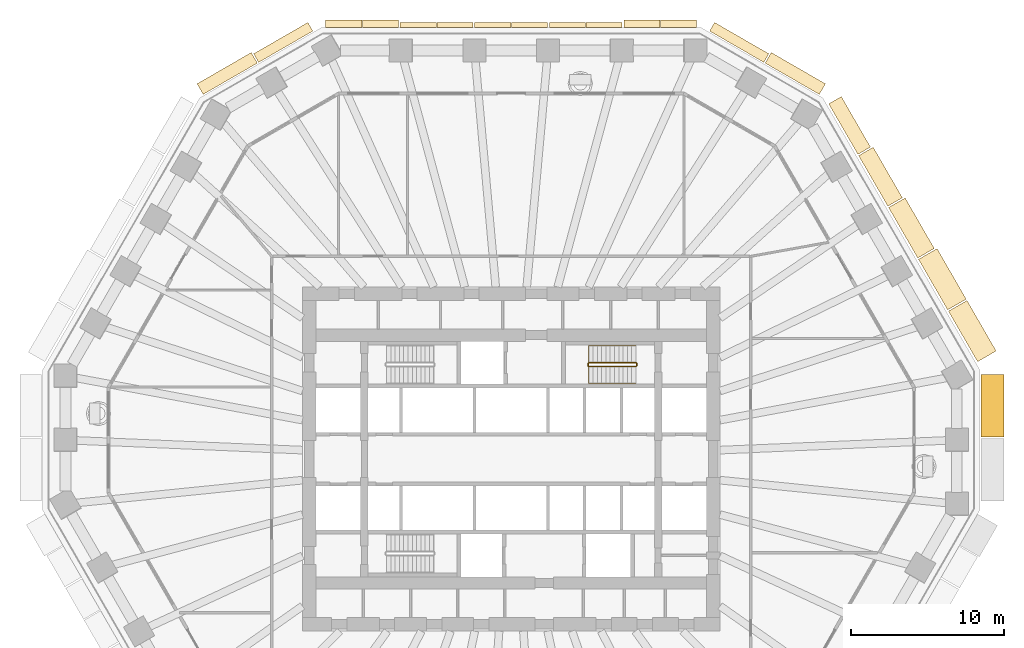
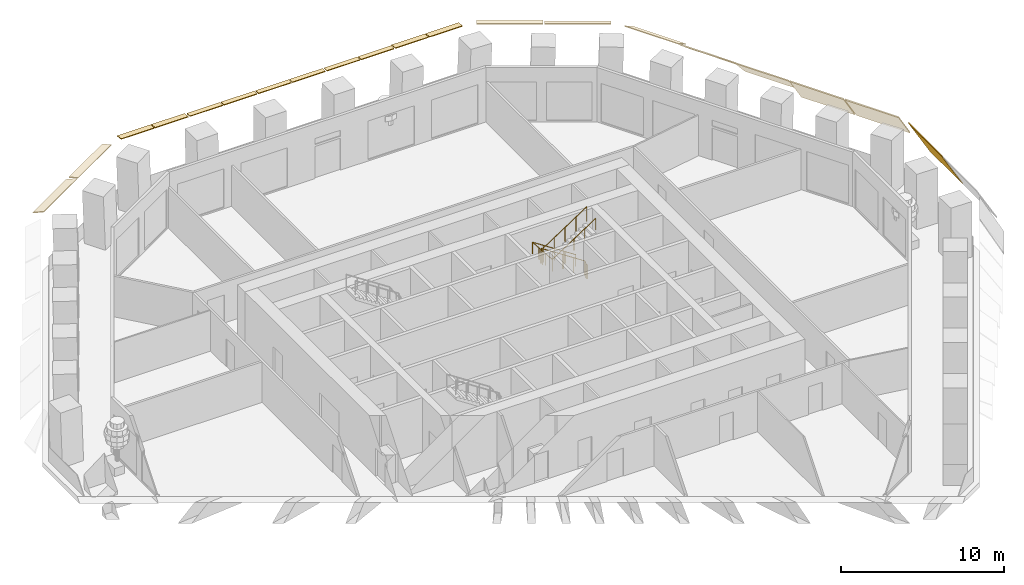
# One storey, part 10 of 12: 20 coverings, 2 railings.
"""IFC4 building model written with IfcOpenShell, lengths in metres."""

from ifc_helpers import new_model, si_unit, direction, frame, origin, origin_2d, place, context, subcontext, project, spatial, polyline, circle, outline, extrude, material, layer, layer_set, type_object, element, save


model = new_model("IFC4")

# Units and contexts
model_context = context("Model", 3, precision=1e-05, world=origin(), true_north=direction((0.0, 1.0)))
body_context = subcontext(model_context, "Body", "Model", "MODEL_VIEW")
ifc_project = project(units=[si_unit("LENGTHUNIT", "METRE"), si_unit("AREAUNIT", "SQUARE_METRE"), si_unit("VOLUMEUNIT", "CUBIC_METRE"), si_unit("PLANEANGLEUNIT", "RADIAN"), si_unit("MASSUNIT", "GRAM", prefix="KILO")], contexts=[model_context])

# Site, building, storey
site_placement = place(None, origin())
site = spatial("IfcSite", under=ifc_project, at=site_placement, CompositionType="ELEMENT")
building_placement = place(site_placement, origin())
building = spatial("IfcBuilding", under=site, at=building_placement, Name="Frailejon Research Tower", CompositionType="ELEMENT")
storey_placement = place(building_placement, frame((0.0, 0.0, 54.199951171875)))
storey = spatial("IfcBuildingStorey", under=building, at=storey_placement, Name="L12", CompositionType="ELEMENT", Elevation=54.199951171875)

# Coverings
ifc_material_1 = material(Name="Precast concrete C50/60", Category="concrete")
ifc_layer_1 = layer(ifc_material_1, 0.06005859375)
ifc_layer_set_1 = layer_set([ifc_layer_1], Name="Brim blade depth 1100")
covering_type_1 = type_object("IfcCoveringType", Name="Brim blade depth 1100", PredefinedType="CLADDING", material=ifc_layer_set_1)
covering_1_placement = place(storey_placement, frame((22.7099609375, 19.830810546875, 4.25), z_axis=(0.500001217064, -0.866024701111, 0.0), x_axis=(0.866024701111, 0.500001217064, 0.0)))
element("IfcCovering", 1, at=covering_1_placement, inside=storey, type_object=covering_type_1, Name="Brim blade L12", PredefinedType="CLADDING", context=body_context, shape_type="SweptSolid", body=[
    extrude(outline(polyline([(0.0, -0.078369140625), (1.10009765625, -1.001220703125), (1.10009765625, -0.923095703125), (0.0, 0.0), (0.0, -0.078369140625)])), origin(), (0.0, 0.0, 1.0), 3.8125),
])
ifc_material_2 = material(Name="Precast concrete C50/60", Category="concrete")
ifc_layer_2 = layer(ifc_material_2, 0.06005859375)
ifc_layer_set_2 = layer_set([ifc_layer_2], Name="Brim blade depth 1250")
covering_type_2 = type_object("IfcCoveringType", Name="Brim blade depth 1250", PredefinedType="CLADDING", material=ifc_layer_set_2)
covering_2_placement = place(storey_placement, frame((24.666259765625, 16.4423828125, 4.25), z_axis=(0.500001217064, -0.866024701111, 0.0), x_axis=(0.866024701111, 0.500001217064, 0.0)))
element("IfcCovering", 2, at=covering_2_placement, inside=storey, type_object=covering_type_2, Name="Brim blade L12", PredefinedType="CLADDING", context=body_context, shape_type="SweptSolid", body=[
    extrude(outline(polyline([(0.0, -0.0888671875), (1.25, -1.452880859375), (1.25, -1.364013671875), (0.0, 0.0), (0.0, -0.0888671875)])), origin(), (0.0, 0.0, 1.0), 3.8125),
])
ifc_material_3 = material(Name="Precast concrete C50/60", Category="concrete")
ifc_layer_3 = layer(ifc_material_3, 0.06005859375)
ifc_layer_set_3 = layer_set([ifc_layer_3], Name="Brim blade depth 1400")
covering_type_3 = type_object("IfcCoveringType", Name="Brim blade depth 1400", PredefinedType="CLADDING", material=ifc_layer_set_3)
covering_3_placement = place(storey_placement, frame((28.578857421875, 9.665283203125, 4.25), z_axis=(0.500001217064, -0.866024701111, 0.0), x_axis=(0.866024701111, 0.500001217064, 0.0)))
element("IfcCovering", 3, at=covering_3_placement, inside=storey, type_object=covering_type_3, Name="Brim blade L12", PredefinedType="CLADDING", context=body_context, shape_type="SweptSolid", body=[
    extrude(outline(polyline([(0.0, -0.1044921875), (1.39990234375, -2.10400390625), (1.39990234375, -1.99951171875), (0.0, 0.0), (0.0, -0.1044921875)])), origin(), (0.0, 0.0, 1.0), 3.8125),
])
covering_4_placement = place(storey_placement, frame((26.62255859375, 13.053955078125, 4.25), z_axis=(0.499990149831, -0.866031090707, 0.0), x_axis=(0.866031090707, 0.499990149831, 0.0)))
element("IfcCovering", 4, at=covering_4_placement, inside=storey, type_object=covering_type_3, Name="Brim blade L12", PredefinedType="CLADDING", context=body_context, shape_type="SweptSolid", body=[
    extrude(outline(polyline([(0.0, -0.1044921875), (1.39990234375, -2.10400390625), (1.39990234375, -1.99951171875), (0.0, 0.0), (0.0, -0.1044921875)])), origin(), (0.0, 0.0, 1.0), 3.812744140625),
])
ifc_material_4 = material(Name="Precast concrete C50/60", Category="concrete")
ifc_layer_4 = layer(ifc_material_4, 0.06005859375)
ifc_layer_set_4 = layer_set([ifc_layer_4], Name="Brim blade depth 1500")
covering_type_4 = type_object("IfcCoveringType", Name="Brim blade depth 1500", PredefinedType="CLADDING", material=ifc_layer_set_4)
covering_5_placement = place(storey_placement, frame((30.711181640625, 5.520263671875, 4.25), z_axis=(0.0, -1.0, 0.0), x_axis=(1.0, 0.0, 0.0)))
element("IfcCovering", 5, at=covering_5_placement, inside=storey, type_object=covering_type_4, Name="Brim blade L12", PredefinedType="CLADDING", context=body_context, shape_type="SweptSolid", body=[
    extrude(outline(polyline([(0.0, -0.1201171875), (1.5, -2.718017578125), (1.5, -2.59814453125), (0.0, 0.0), (0.0, -0.1201171875)])), origin(), (0.0, 0.0, 1.0), 4.08740234375),
])
ifc_material_5 = material(Name="Precast concrete C50/60", Category="concrete")
ifc_layer_5 = layer(ifc_material_5, 0.06005859375)
ifc_layer_set_5 = layer_set([ifc_layer_5], Name="Brim blade depth 350")
covering_type_5 = type_object("IfcCoveringType", Name="Brim blade depth 350", PredefinedType="CLADDING", material=ifc_layer_set_5)
for number, where, z_axis, x_axis, name in (
    (6, (4.900634765625, 28.199951171875, 4.25), (1.0, 0.0, 0.0), (0.0, 1.0, 0.0), "Brim blade L12"),
    (7, (2.4853515625, 28.199951171875, 4.25), (1.0, 0.0, 0.0), (0.0, 1.0, 0.0), "Brim blade L12"),
    (8, (0.030029296875, 28.199951171875, 4.25), (1.0, 0.0, 0.0), (0.0, 1.0, 0.0), "Brim blade L12"),
    (9, (-2.38525390625, 28.199951171875, 4.25), (1.0, 0.0, 0.0), (0.0, 1.0, 0.0), "Brim blade L12"),
    (10, (-4.840576171875, 28.199951171875, 4.25), (1.0, 0.0, 0.0), (0.0, 1.0, 0.0), "Brim blade L12"),
    (11, (-7.255859375, 28.199951171875, 4.25), (1.0, 0.0, 0.0), (0.0, 1.0, 0.0), "Brim blade L12"),
):
    element("IfcCovering", number, at=place(storey_placement, frame(where, z_axis=z_axis, x_axis=x_axis)), inside=storey, type_object=covering_type_5, Name=name, PredefinedType="CLADDING", context=body_context, shape_type="SweptSolid", body=[
        extrude(outline(polyline([(0.0, -0.06005859375), (0.35009765625, -0.06005859375), (0.35009765625, 0.0), (0.0, 0.0), (0.0, -0.06005859375)])), origin(), (0.0, 0.0, 1.0), 2.355224609375),
    ])
ifc_material_6 = material(Name="Precast concrete C50/60", Category="concrete")
ifc_layer_6 = layer(ifc_material_6, 0.06005859375)
ifc_layer_set_6 = layer_set([ifc_layer_6], Name="Brim blade depth 500")
covering_type_6 = type_object("IfcCoveringType", Name="Brim blade depth 500", PredefinedType="CLADDING", material=ifc_layer_set_6)
for number, where, z_axis, x_axis, name in (
    (12, (9.771240234375, 28.199951171875, 4.25), (1.0, 0.0, 0.0), (0.0, 1.0, 0.0), "Brim blade L12"),
    (13, (7.35595703125, 28.199951171875, 4.25), (1.0, 0.0, 0.0), (0.0, 1.0, 0.0), "Brim blade L12"),
    (14, (-9.711181640625, 28.199951171875, 4.25), (1.0, 0.0, 0.0), (0.0, 1.0, 0.0), "Brim blade L12"),
    (15, (-12.12646484375, 28.199951171875, 4.25), (1.0, 0.0, 0.0), (0.0, 1.0, 0.0), "Brim blade L12"),
):
    element("IfcCovering", number, at=place(storey_placement, frame(where, z_axis=z_axis, x_axis=x_axis)), inside=storey, type_object=covering_type_6, Name=name, PredefinedType="CLADDING", context=body_context, shape_type="SweptSolid", body=[
        extrude(outline(polyline([(0.0, -0.060546875), (0.5, -0.130859375), (0.5, -0.0703125), (0.0, 0.0), (0.0, -0.060546875)])), origin(), (0.0, 0.0, 1.0), 2.355224609375),
    ])
ifc_material_7 = material(Name="Precast concrete C50/60", Category="concrete")
ifc_layer_7 = layer(ifc_material_7, 0.06005859375)
ifc_layer_set_7 = layer_set([ifc_layer_7], Name="Brim blade depth 650")
covering_type_7 = type_object("IfcCoveringType", Name="Brim blade depth 650", PredefinedType="CLADDING", material=ifc_layer_set_7)
for number, where, z_axis, x_axis, name in (
    (16, (12.9697265625, 27.97412109375, 4.25), (0.866027315287, -0.499996689166, 0.0), (0.499996689166, 0.866027315287, 0.0), "Brim blade L12"),
    (17, (-16.509765625, 25.93017578125, 4.25), (0.866027315287, 0.499996689166, 0.0), (-0.499996689166, 0.866027315287, 0.0), "Brim blade L12"),
):
    element("IfcCovering", number, at=place(storey_placement, frame(where, z_axis=z_axis, x_axis=x_axis)), inside=storey, type_object=covering_type_7, Name=name, PredefinedType="CLADDING", context=body_context, shape_type="SweptSolid", body=[
        extrude(outline(polyline([(0.0, -0.0625), (0.64990234375, -0.248779296875), (0.64990234375, -0.186279296875), (0.0, 0.0), (0.0, -0.0625)])), origin(), (0.0, 0.0, 1.0), 4.087646484375),
    ])
ifc_material_8 = material(Name="Precast concrete C50/60", Category="concrete")
ifc_layer_8 = layer(ifc_material_8, 0.06005859375)
ifc_layer_set_8 = layer_set([ifc_layer_8], Name="Brim blade depth 800")
covering_type_8 = type_object("IfcCoveringType", Name="Brim blade depth 800", PredefinedType="CLADDING", material=ifc_layer_set_8)
for number, where, z_axis, x_axis, name in (
    (18, (16.596435546875, 25.880126953125, 4.25), (0.866021344981, -0.500007029989, 0.0), (0.500007029989, 0.866021344981, 0.0), "Brim blade L12"),
    (19, (-20.13623046875, 23.83642578125, 4.25), (0.866021344981, 0.500007029989, 0.0), (-0.500007029989, 0.866021344981, 0.0), "Brim blade L12"),
):
    element("IfcCovering", number, at=place(storey_placement, frame(where, z_axis=z_axis, x_axis=x_axis)), inside=storey, type_object=covering_type_8, Name=name, PredefinedType="CLADDING", context=body_context, shape_type="SweptSolid", body=[
        extrude(outline(polyline([(0.0, -0.065673828125), (0.800048828125, -0.421875), (0.800048828125, -0.356201171875), (0.0, 0.0), (0.0, -0.065673828125)])), origin(), (0.0, 0.0, 1.0), 4.08740234375),
    ])
ifc_material_9 = material(Name="Precast concrete C50/60", Category="concrete")
ifc_layer_9 = layer(ifc_material_9, 0.06005859375)
ifc_layer_set_9 = layer_set([ifc_layer_9], Name="Brim blade depth 950")
covering_type_9 = type_object("IfcCoveringType", Name="Brim blade depth 950", PredefinedType="CLADDING", material=ifc_layer_set_9)
covering_6_placement = place(storey_placement, frame((20.753662109375, 23.218994140625, 4.25), z_axis=(0.500001217064, -0.866024701111, 0.0), x_axis=(0.866024701111, 0.500001217064, 0.0)))
element("IfcCovering", 20, at=covering_6_placement, inside=storey, type_object=covering_type_9, Name="Brim blade L12", PredefinedType="CLADDING", context=body_context, shape_type="SweptSolid", body=[
    extrude(outline(polyline([(0.0, -0.07080078125), (0.949951171875, -0.664306640625), (0.949951171875, -0.593505859375), (0.0, 0.0), (0.0, -0.07080078125)])), origin(), (0.0, 0.0, 1.0), 3.8125),
])

# Railings
ifc_material_10 = material(Name="Stainless steel", Category="steel")
railing_type_1 = type_object("IfcRailingType", Name="Stair guard 1100", PredefinedType="GUARDRAIL", material=ifc_material_10)
railing_1_placement = place(storey_placement, frame((8.199951171875, 6.10009765625, 0.0)))
element("IfcRailing", 21, at=railing_1_placement, inside=storey, type_object=railing_type_1, Name="L12 ST3 stair guard 1", PredefinedType="GUARDRAIL", context=body_context, shape_type="SweptSolid", body=[
    extrude(circle(Radius=0.02392578125, at=origin_2d()), frame((0.0, 0.0, 1.076171875), z_axis=(0.0, 1.0, 0.0), x_axis=(-1.0, 0.0, 0.0)), (0.0, 0.0, 1.0), 0.14990234375),
    extrude(circle(Radius=0.02392578125, at=origin_2d()), frame((0.0, 0.14990234375, 1.076171875), z_axis=(-0.254653276557, 0.254653276557, 0.932900539971), x_axis=(-0.707106781187, -0.707106781187, 0.0)), (0.0, 0.0, 1.0), 0.196533203125),
    extrude(circle(Radius=0.02392578125, at=origin_2d()), frame((-0.050048828125, 0.199951171875, 1.25927734375), z_axis=(-0.836613101238, 0.0, 0.547794230379), x_axis=(0.0, -1.0, 0.0)), (0.0, 0.0, 1.0), 3.681396484375),
    extrude(circle(Radius=0.02392578125, at=origin_2d()), frame((-3.1298828125, 0.199951171875, 3.27587890625), z_axis=(-0.707106781187, -0.707106781187, 0.0), x_axis=(0.707106781187, -0.707106781187, 0.0)), (0.0, 0.0, 1.0), 0.07080078125),
    extrude(circle(Radius=0.02392578125, at=origin_2d()), frame((-3.179931640625, 0.14990234375, 3.27587890625), z_axis=(0.0, -1.0, 0.0), x_axis=(1.0, 0.0, 0.0)), (0.0, 0.0, 1.0), 0.14990234375),
    extrude(circle(Radius=0.02392578125, at=origin_2d()), frame((-3.179931640625, 0.0, 3.27587890625), z_axis=(0.254653276557, -0.254653276557, 0.932900539971), x_axis=(0.707106781187, 0.707106781187, 0.0)), (0.0, 0.0, 1.0), 0.196533203125),
    extrude(circle(Radius=0.02392578125, at=origin_2d()), frame((-3.1298828125, -0.050048828125, 3.45947265625), z_axis=(0.836582707638, 0.0, 0.547840645882), x_axis=(0.0, 1.0, 0.0)), (0.0, 0.0, 1.0), 3.681396484375),
    extrude(circle(Radius=0.02099609375, at=origin_2d()), origin(), (0.0, 0.0, 1.0), 1.052001953125),
    extrude(circle(Radius=0.02099609375, at=origin_2d()), frame((0.0, 0.14990234375, 0.0)), (0.0, 0.0, 1.0), 1.052001953125),
    extrude(circle(Radius=0.02099609375, at=origin_2d()), frame((-0.050048828125, 0.199951171875, 0.183349609375)), (0.0, 0.0, 1.0), 1.052001953125),
    extrude(circle(Radius=0.02099609375, at=origin_2d()), frame((-0.820068359375, 0.199951171875, 0.6875)), (0.0, 0.0, 1.0), 1.052001953125),
    extrude(circle(Radius=0.02099609375, at=origin_2d()), frame((-1.58984375, 0.199951171875, 1.191650390625)), (0.0, 0.0, 1.0), 1.052001953125),
    extrude(circle(Radius=0.02099609375, at=origin_2d()), frame((-2.35986328125, 0.199951171875, 1.69580078125)), (0.0, 0.0, 1.0), 1.052001953125),
    extrude(circle(Radius=0.02099609375, at=origin_2d()), frame((-3.1298828125, 0.199951171875, 2.199951171875)), (0.0, 0.0, 1.0), 1.052001953125),
    extrude(circle(Radius=0.02099609375, at=origin_2d()), frame((-3.179931640625, 0.14990234375, 2.199951171875)), (0.0, 0.0, 1.0), 1.052001953125),
    extrude(circle(Radius=0.02099609375, at=origin_2d()), frame((-3.179931640625, 0.0, 2.199951171875)), (0.0, 0.0, 1.0), 1.052001953125),
    extrude(circle(Radius=0.02099609375, at=origin_2d()), frame((-3.1298828125, -0.050048828125, 2.38330078125)), (0.0, 0.0, 1.0), 1.052001953125),
    extrude(circle(Radius=0.02099609375, at=origin_2d()), frame((-2.35986328125, -0.050048828125, 2.887451171875)), (0.0, 0.0, 1.0), 1.052001953125),
    extrude(circle(Radius=0.02099609375, at=origin_2d()), frame((-1.58984375, -0.050048828125, 3.3916015625)), (0.0, 0.0, 1.0), 1.052001953125),
    extrude(circle(Radius=0.02099609375, at=origin_2d()), frame((-0.820068359375, -0.050048828125, 3.89599609375)), (0.0, 0.0, 1.0), 1.052001953125),
    extrude(circle(Radius=0.02099609375, at=origin_2d()), frame((-0.050048828125, -0.050048828125, 4.400146484375)), (0.0, 0.0, 1.0), 1.052001953125),
])
ifc_material_11 = material(Name="Stainless steel", Category="steel")
railing_type_2 = type_object("IfcRailingType", Name="Stair handrail 900", PredefinedType="HANDRAIL", material=ifc_material_11)
railing_2_placement = place(storey_placement, frame((8.14990234375, 7.39990234375, 0.183349609375)))
element("IfcRailing", 22, at=railing_2_placement, inside=storey, type_object=railing_type_2, Name="L12 ST3 stair handrail 1", PredefinedType="HANDRAIL", context=body_context, shape_type="SweptSolid", body=[
    extrude(circle(Radius=0.02392578125, at=origin_2d()), frame((0.0, 0.0, 0.8759765625), z_axis=(-0.836613101238, 0.0, 0.547794230379), x_axis=(0.0, -1.0, 0.0)), (0.0, 0.0, 1.0), 3.681396484375),
    extrude(circle(Radius=0.02392578125, at=origin_2d()), frame((-3.079833984375, 0.0, 2.892578125), z_axis=(0.0, -0.99721134034, 0.074629368868), x_axis=(1.0, 0.0, 0.0)), (0.0, 0.0, 1.0), 2.456787109375),
    extrude(circle(Radius=0.02392578125, at=origin_2d()), frame((-3.079833984375, -2.449951171875, 3.07568359375), z_axis=(0.836582707638, 0.0, 0.547840645882), x_axis=(0.0, 1.0, 0.0)), (0.0, 0.0, 1.0), 3.681396484375),
    extrude(circle(Radius=0.02099609375, at=origin_2d()), origin(), (0.0, 0.0, 1.0), 0.851806640625),
    extrude(circle(Radius=0.02099609375, at=origin_2d()), frame((-0.77001953125, 0.0, 0.504150390625)), (0.0, 0.0, 1.0), 0.851806640625),
    extrude(circle(Radius=0.02099609375, at=origin_2d()), frame((-1.5400390625, 0.0, 1.00830078125)), (0.0, 0.0, 1.0), 0.851806640625),
    extrude(circle(Radius=0.02099609375, at=origin_2d()), frame((-2.309814453125, 0.0, 1.512451171875)), (0.0, 0.0, 1.0), 0.851806640625),
    extrude(circle(Radius=0.02099609375, at=origin_2d()), frame((-3.079833984375, 0.0, 2.0166015625)), (0.0, 0.0, 1.0), 0.851806640625),
    extrude(circle(Radius=0.02099609375, at=origin_2d()), frame((-3.079833984375, -0.816650390625, 2.07763671875)), (0.0, 0.0, 1.0), 0.851806640625),
    extrude(circle(Radius=0.02099609375, at=origin_2d()), frame((-3.079833984375, -1.63330078125, 2.138916015625)), (0.0, 0.0, 1.0), 0.851806640625),
    extrude(circle(Radius=0.02099609375, at=origin_2d()), frame((-3.079833984375, -2.449951171875, 2.199951171875)), (0.0, 0.0, 1.0), 0.851806640625),
    extrude(circle(Radius=0.02099609375, at=origin_2d()), frame((-2.309814453125, -2.449951171875, 2.7041015625)), (0.0, 0.0, 1.0), 0.851806640625),
    extrude(circle(Radius=0.02099609375, at=origin_2d()), frame((-1.5400390625, -2.449951171875, 3.20849609375)), (0.0, 0.0, 1.0), 0.851806640625),
    extrude(circle(Radius=0.02099609375, at=origin_2d()), frame((-0.77001953125, -2.449951171875, 3.712646484375)), (0.0, 0.0, 1.0), 0.851806640625),
    extrude(circle(Radius=0.02099609375, at=origin_2d()), frame((0.0, -2.449951171875, 4.216796875)), (0.0, 0.0, 1.0), 0.851806640625),
])

save(model, "model.ifc")
